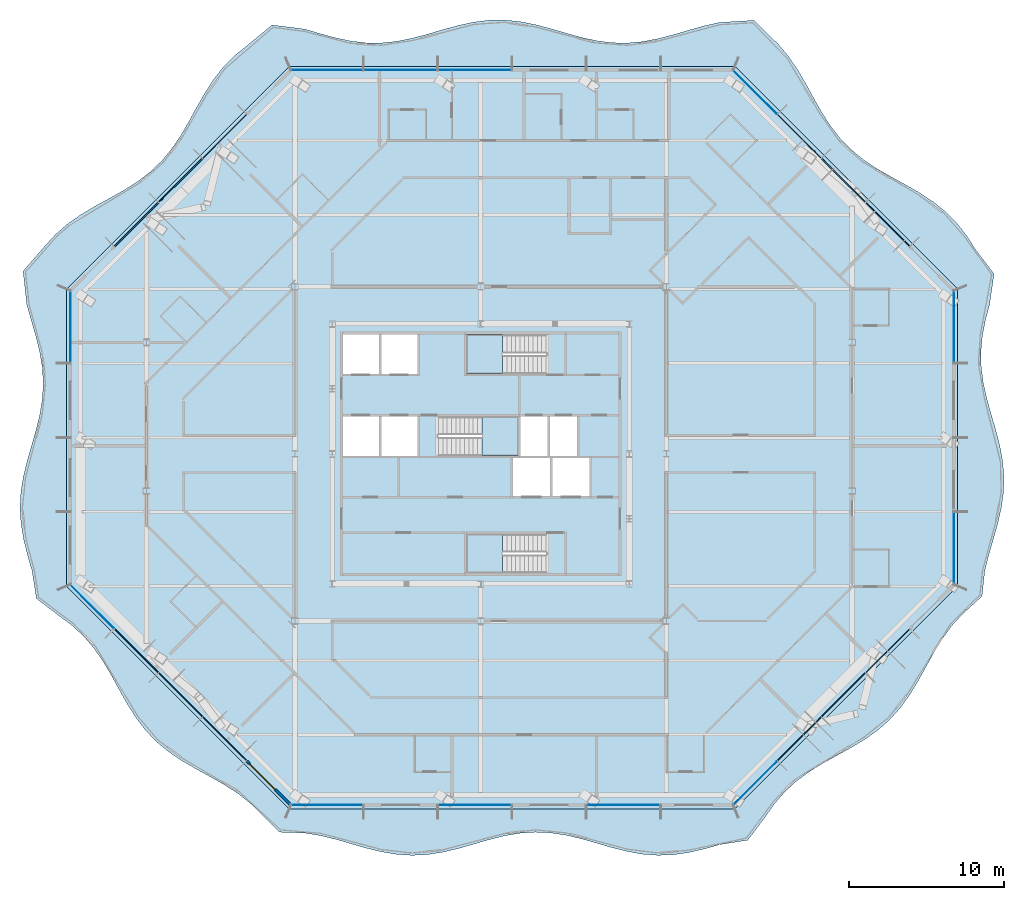
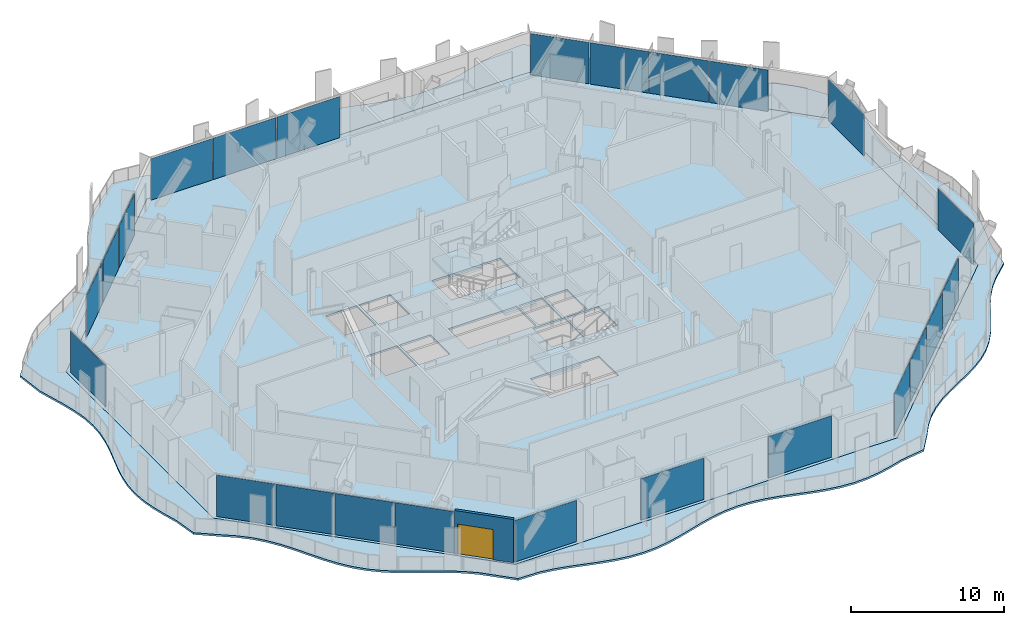
# One storey, part 6 of 21: 24 plates, 5 slabs, 1 door, 1 wall, 1 opening, 11 elements without a shape of their own.
"""IFC4 building model written with IfcOpenShell, lengths in metres."""

from ifc_helpers import new_model, si_unit, direction, frame, frame_2d, origin, origin_2d, place, context, subcontext, project, spatial, polyline, rectangle, outline, extrude, material, layer, layer_set, type_object, element, fill, aggregate, save


model = new_model("IFC4")

# Units and contexts
model_context = context("Model", 3, precision=1e-05, world=origin(), true_north=direction((0.0, 1.0)))
body_context = subcontext(model_context, "Body", "Model", "MODEL_VIEW")
ifc_project = project(units=[si_unit("LENGTHUNIT", "METRE"), si_unit("AREAUNIT", "SQUARE_METRE"), si_unit("VOLUMEUNIT", "CUBIC_METRE"), si_unit("PLANEANGLEUNIT", "RADIAN"), si_unit("MASSUNIT", "GRAM", prefix="KILO")], contexts=[model_context])

# Site, building, storey
site_placement = place(None, origin())
site = spatial("IfcSite", under=ifc_project, at=site_placement, CompositionType="ELEMENT")
building_placement = place(site_placement, origin())
building = spatial("IfcBuilding", under=site, at=building_placement, Name="Cairn Pilgrim Tower", CompositionType="ELEMENT")
storey_placement = place(building_placement, frame((0.0, 0.0, 183.0)))
storey = spatial("IfcBuildingStorey", under=building, at=storey_placement, Name="L46", CompositionType="ELEMENT", Elevation=183.0)

# Slabs
ifc_material_1 = material(Name="Concrete C35/45", Category="concrete")
ifc_layer_1 = layer(ifc_material_1, 0.14990234375)
ifc_layer_set_1 = layer_set([ifc_layer_1], Name="BALCONY SLAB 150 CONCRETE C35/45")
slab_type_1 = type_object("IfcSlabType", Name="BALCONY SLAB 150 CONCRETE C35/45", PredefinedType="FLOOR", material=ifc_layer_set_1)
slab_1_placement = place(storey_placement, frame((0.0, 0.0, -0.14990234375)))
element("IfcSlab", 1, at=slab_1_placement, inside=storey, type_object=slab_type_1, Name="Balcony slab BS-1", PredefinedType="FLOOR", context=body_context, shape_type="SweptSolid", body=[
    extrude(outline(polyline([(-6.963623046875, -20.898681640625), (-5.79638671875, -22.050048828125), (-4.181884765625, -22.106201171875), (-3.188720703125, -22.266845703125), (-2.19580078125, -22.50732421875), (-1.20263671875, -22.7919921875), (-0.20947265625, -23.07763671875), (0.78369140625, -23.321533203125), (1.776611328125, -23.4873046875), (2.769775390625, -23.5498046875), (3.762939453125, -23.499755859375), (4.756103515625, -23.344482421875), (5.7490234375, -23.107421875), (6.7421875, -22.824462890625), (7.7353515625, -22.53759765625), (8.728515625, -22.2900390625), (9.721435546875, -22.119384765625), (10.714599609375, -22.05078125), (11.707763671875, -22.0947265625), (12.700927734375, -22.244384765625), (13.69384765625, -22.477783203125), (14.68701171875, -22.75927734375), (15.68017578125, -23.047119140625), (16.67333984375, -23.2978515625), (17.666259765625, -23.4736328125), (18.659423828125, -23.54833984375), (19.652587890625, -23.5107421875), (20.645751953125, -23.3662109375), (21.638671875, -23.136962890625), (22.6318359375, -22.85693359375), (24.4609375, -22.568115234375), (25.588623046875, -21.07373046875), (26.18017578125, -20.22509765625), (26.846435546875, -19.451416015625), (27.596435546875, -18.761474609375), (28.42529296875, -18.150390625), (29.315673828125, -17.600830078125), (30.240966796875, -17.0859375), (31.16845703125, -16.573486328125), (32.065673828125, -16.03076171875), (32.904541015625, -15.429443359375), (33.666259765625, -14.751220703125), (34.344482421875, -13.989501953125), (34.945556640625, -13.150390625), (35.48828125, -12.253173828125), (36.000732421875, -11.32568359375), (36.515625, -10.400634765625), (37.065185546875, -9.51025390625), (37.676513671875, -8.681396484375), (38.366455078125, -7.931640625), (39.60205078125, -6.80322265625), (39.782470703125, -5.139404296875), (40.039306640625, -4.12890625), (40.332763671875, -3.118408203125), (40.6171875, -2.10791015625), (40.8486328125, -1.097412109375), (40.99072265625, -0.0869140625), (41.021728515625, 0.923583984375), (40.9365234375, 1.934326171875), (40.74853515625, 2.94482421875), (40.487060546875, 3.955322265625), (40.192626953125, 4.9658203125), (39.910888671875, 5.976318359375), (39.685791015625, 6.98681640625), (39.55224609375, 7.997314453125), (39.531005859375, 9.0078125), (39.62548828125, 10.018310546875), (39.82080078125, 11.029052734375), (40.0869140625, 12.03955078125), (40.382080078125, 14.0263671875), (39.170166015625, 15.635009765625), (38.605224609375, 16.51025390625), (37.97265625, 17.317626953125), (37.258544921875, 18.04345703125), (36.4619140625, 18.68701171875), (35.59521484375, 19.260009765625), (34.680908203125, 19.7861328125), (33.75048828125, 20.29541015625), (32.83642578125, 20.8212890625), (31.9697265625, 21.394775390625), (31.17333984375, 22.038330078125), (30.45947265625, 22.764404296875), (29.8271484375, 23.572265625), (29.262451171875, 24.447509765625), (28.740966796875, 25.365966796875), (28.231201171875, 26.296142578125), (27.7001953125, 27.205078125), (27.117919921875, 28.06298828125), (26.462890625, 28.847900390625), (24.85498046875, 30.41943359375), (22.6318359375, 30.284912109375), (21.638671875, 30.0625), (20.645751953125, 29.78564453125), (19.652587890625, 29.495849609375), (18.659423828125, 29.23681640625), (17.666259765625, 29.04736328125), (16.67333984375, 28.955810546875), (15.68017578125, 28.97607421875), (14.68701171875, 29.10498046875), (13.69384765625, 29.323486328125), (12.700927734375, 29.59814453125), (11.707763671875, 29.888427734375), (10.714599609375, 30.150146484375), (9.721435546875, 30.344482421875), (8.728515625, 30.44189453125), (7.7353515625, 30.427978515625), (6.7421875, 30.3046875), (5.7490234375, 30.090576171875), (4.756103515625, 29.81787109375), (3.762939453125, 29.52734375), (2.769775390625, 29.262939453125), (1.776611328125, 29.06396484375), (0.78369140625, 28.960693359375), (-0.20947265625, 28.96826171875), (-1.20263671875, 29.0859375), (-2.19580078125, 29.295654296875), (-3.188720703125, 29.566162109375), (-4.181884765625, 29.856689453125), (-6.282470703125, 30.123779296875), (-7.932373046875, 28.767333984375), (-8.728515625, 28.12353515625), (-9.4423828125, 27.3974609375), (-10.07470703125, 26.58984375), (-10.639404296875, 25.71435546875), (-11.160888671875, 24.7958984375), (-11.670654296875, 23.86572265625), (-12.20166015625, 22.956787109375), (-12.783935546875, 22.098876953125), (-13.43896484375, 21.31396484375), (-14.17724609375, 20.6123046875), (-14.995849609375, 19.99072265625), (-15.87890625, 19.43408203125), (-16.80126953125, 18.916259765625), (-17.73046875, 18.405517578125), (-18.6337890625, 17.86865234375), (-19.482177734375, 17.277099609375), (-20.25537109375, 16.610595703125), (-20.9453125, 15.8603515625), (-22.376953125, 14.210693359375), (-22.1376953125, 12.03955078125), (-21.85009765625, 11.029052734375), (-21.558349609375, 10.018310546875), (-21.30810546875, 9.0078125), (-21.13818359375, 7.997314453125), (-21.0751953125, 6.98681640625), (-21.12841796875, 5.976318359375), (-21.2900390625, 4.9658203125), (-21.534912109375, 3.955322265625), (-21.82470703125, 2.94482421875), (-22.11474609375, 1.934326171875), (-22.359619140625, 0.923583984375), (-22.521240234375, -0.0869140625), (-22.574951171875, -1.097412109375), (-22.511962890625, -2.10791015625), (-22.34228515625, -3.118408203125), (-22.092041015625, -4.12890625), (-21.80029296875, -5.139404296875), (-21.5126953125, -6.95263671875), (-20.054931640625, -8.06982421875), (-19.226318359375, -8.681396484375), (-18.4765625, -9.37158203125), (-17.810302734375, -10.145263671875), (-17.21923828125, -10.994140625), (-16.682861328125, -11.897705078125), (-16.172119140625, -12.8271484375), (-15.654052734375, -13.7490234375), (-15.096923828125, -14.632080078125), (-14.47509765625, -15.449951171875), (-13.772705078125, -16.187744140625), (-12.9873046875, -16.84228515625), (-12.129150390625, -17.42431640625), (-11.219970703125, -17.955078125), (-10.289794921875, -18.464599609375), (-9.371337890625, -18.986328125), (-8.496337890625, -19.551513671875), (-7.689208984375, -20.184326171875), (-6.963623046875, -20.898681640625)]), holes=[polyline([(23.625, -20.550048828125), (-5.175048828125, -20.550048828125), (-19.574951171875, -6.14990234375), (-19.574951171875, 13.050048828125), (-5.175048828125, 27.449951171875), (23.625, 27.449951171875), (38.02490234375, 13.050048828125), (38.02490234375, -6.14990234375), (23.625, -20.550048828125)])]), origin(), (0.0, 0.0, 1.0), 0.14990234375),
])
ifc_layer_2 = layer(ifc_material_1, 0.14990234375)
ifc_layer_set_2 = layer_set([ifc_layer_2], Name="COMPOSITE FLOOR SLAB 150")
slab_type_2 = type_object("IfcSlabType", Name="COMPOSITE FLOOR SLAB 150", PredefinedType="FLOOR", material=ifc_layer_set_2)
slab_2_placement = place(storey_placement, frame((0.0, 0.0, -0.14990234375)))
element("IfcSlab", 2, at=slab_2_placement, inside=storey, type_object=slab_type_2, Name="FLOOR SLAB L46", PredefinedType="FLOOR", context=body_context, shape_type="SweptSolid", body=[
    extrude(outline(polyline([(-5.175048828125, -20.550048828125), (23.625, -20.550048828125), (38.02490234375, -6.14990234375), (38.02490234375, 13.050048828125), (23.625, 27.449951171875), (-5.175048828125, 27.449951171875), (-19.574951171875, 13.050048828125), (-19.574951171875, -6.14990234375), (-5.175048828125, -20.550048828125)]), holes=[polyline([(9.27490234375, -0.324951171875), (11.675048828125, -0.324951171875), (11.675048828125, 2.125), (9.27490234375, 2.125), (9.27490234375, -0.324951171875)]), polyline([(11.824951171875, -0.324951171875), (14.22509765625, -0.324951171875), (14.22509765625, 2.125), (11.824951171875, 2.125), (11.824951171875, -0.324951171875)]), polyline([(-1.72509765625, 2.27490234375), (0.625, 2.27490234375), (0.625, 4.824951171875), (-1.72509765625, 4.824951171875), (-1.72509765625, 2.27490234375)]), polyline([(0.77490234375, 2.27490234375), (3.125, 2.27490234375), (3.125, 4.824951171875), (0.77490234375, 4.824951171875), (0.77490234375, 2.27490234375)]), polyline([(-1.72509765625, 7.574951171875), (0.625, 7.574951171875), (0.625, 10.10009765625), (-1.72509765625, 10.10009765625), (-1.72509765625, 7.574951171875)]), polyline([(0.77490234375, 7.574951171875), (3.125, 7.574951171875), (3.125, 10.10009765625), (0.77490234375, 10.10009765625), (0.77490234375, 7.574951171875)]), polyline([(9.77490234375, 2.27490234375), (11.52490234375, 2.27490234375), (11.52490234375, 4.824951171875), (9.77490234375, 4.824951171875), (9.77490234375, 2.27490234375)]), polyline([(11.675048828125, 2.27490234375), (13.425048828125, 2.27490234375), (13.425048828125, 4.824951171875), (11.675048828125, 4.824951171875), (11.675048828125, 2.27490234375)]), polyline([(11.424560546875, -2.77490234375), (6.27490234375, -2.77490234375), (6.27490234375, -5.300048828125), (11.424560546875, -5.300048828125), (11.424560546875, -2.77490234375)]), polyline([(4.4755859375, 2.27490234375), (9.625, 2.27490234375), (9.625, 4.824951171875), (4.4755859375, 4.824951171875), (4.4755859375, 2.27490234375)]), polyline([(11.424560546875, 10.10009765625), (6.27490234375, 10.10009765625), (6.27490234375, 7.574951171875), (11.424560546875, 7.574951171875), (11.424560546875, 10.10009765625)])]), origin(), (0.0, 0.0, 1.0), 0.14990234375),
])

# Curtain wall, plates
ifc_material_2 = material(Name="Aluminium alloy 6063-T6 bronze anodised with Bronze tinted laminated low-E glass 8+16+8.8", Category="aluminium")
curtain_wall_type_1 = type_object("IfcCurtainWallType", Name="CHAMFER CORNER CURTAIN WALL", PredefinedType="NOTDEFINED", material=ifc_material_2)
curtain_wall_1_placement = place(storey_placement, origin())
curtain_wall_1 = element("IfcCurtainWall", 3, at=curtain_wall_1_placement, inside=storey, type_object=curtain_wall_type_1, Name="Chamfer Corner Curtain Wall SE", PredefinedType="NOTDEFINED")
ifc_material_3 = material(Name="Bronze anodised aluminium spandrel panel with mineral wool insulation", Category="aluminium")
ifc_layer_3 = layer(ifc_material_3, 0.06005859375)
ifc_layer_set_3 = layer_set([ifc_layer_3], Name="SPANDREL PANEL 3972x3300")
plate_type_1 = type_object("IfcPlateType", Name="SPANDREL PANEL 3972x3300", PredefinedType="CURTAIN_PANEL", material=ifc_layer_set_3)
plate_1_placement = place(storey_placement, frame((27.797607421875, -16.02392578125, 0.0), z_axis=(0.0, 0.0, 1.0), x_axis=(0.707106781187, 0.707106781187, 0.0)))
plate_1 = element("IfcPlate", 4, at=plate_1_placement, type_object=plate_type_1, Name="Spandrel Panel SE2-1", PredefinedType="CURTAIN_PANEL", context=body_context, shape_type="SweptSolid", body=[
    extrude(rectangle(XDim=3.971435546875, YDim=0.06005859375, at=origin_2d()), origin(), (0.0, 0.0, 1.0), 3.300048828125),
])
plate_2_placement = place(storey_placement, frame((30.648193359375, -13.17333984375, 0.0), z_axis=(0.0, 0.0, 1.0), x_axis=(0.707106781187, 0.707106781187, 0.0)))
plate_2 = element("IfcPlate", 5, at=plate_2_placement, type_object=plate_type_1, Name="Spandrel Panel SE3-1", PredefinedType="CURTAIN_PANEL", context=body_context, shape_type="SweptSolid", body=[
    extrude(rectangle(XDim=3.971435546875, YDim=0.06005859375, at=origin_2d()), origin(), (0.0, 0.0, 1.0), 3.300048828125),
])
plate_3_placement = place(storey_placement, frame((33.4990234375, -10.322509765625, 0.0), z_axis=(0.0, 0.0, 1.0), x_axis=(0.707106781187, 0.707106781187, 0.0)))
plate_3 = element("IfcPlate", 6, at=plate_3_placement, type_object=plate_type_1, Name="Spandrel Panel SE4-1", PredefinedType="CURTAIN_PANEL", context=body_context, shape_type="SweptSolid", body=[
    extrude(rectangle(XDim=3.971435546875, YDim=0.06005859375, at=origin_2d()), origin(), (0.0, 0.0, 1.0), 3.300048828125),
])

curtain_wall_2_placement = place(storey_placement, origin())
curtain_wall_2 = element("IfcCurtainWall", 7, at=curtain_wall_2_placement, inside=storey, type_object=curtain_wall_type_1, Name="Chamfer Corner Curtain Wall NE", PredefinedType="NOTDEFINED")
plate_4_placement = place(storey_placement, frame((33.4990234375, 17.222412109375, 0.0), z_axis=(0.0, 0.0, 1.0), x_axis=(-0.707106781187, 0.707106781187, 0.0)))
plate_4 = element("IfcPlate", 8, at=plate_4_placement, type_object=plate_type_1, Name="Spandrel Panel NE2-1", PredefinedType="CURTAIN_PANEL", context=body_context, shape_type="SweptSolid", body=[
    extrude(rectangle(XDim=3.971435546875, YDim=0.06005859375, at=origin_2d()), origin(), (0.0, 0.0, 1.0), 3.300048828125),
])
plate_5_placement = place(storey_placement, frame((30.648193359375, 20.0732421875, 0.0), z_axis=(0.0, 0.0, 1.0), x_axis=(-0.707106781187, 0.707106781187, 0.0)))
plate_5 = element("IfcPlate", 9, at=plate_5_placement, type_object=plate_type_1, Name="Spandrel Panel NE3-1", PredefinedType="CURTAIN_PANEL", context=body_context, shape_type="SweptSolid", body=[
    extrude(rectangle(XDim=3.971435546875, YDim=0.06005859375, at=origin_2d()), origin(), (0.0, 0.0, 1.0), 3.300048828125),
])
plate_6_placement = place(storey_placement, frame((27.797607421875, 22.923828125, 0.0), z_axis=(0.0, 0.0, 1.0), x_axis=(-0.707106781187, 0.707106781187, 0.0)))
plate_6 = element("IfcPlate", 10, at=plate_6_placement, type_object=plate_type_1, Name="Spandrel Panel NE4-1", PredefinedType="CURTAIN_PANEL", context=body_context, shape_type="SweptSolid", body=[
    extrude(rectangle(XDim=3.971435546875, YDim=0.06005859375, at=origin_2d()), origin(), (0.0, 0.0, 1.0), 3.300048828125),
])

curtain_wall_3_placement = place(storey_placement, origin())
curtain_wall_3 = element("IfcCurtainWall", 11, at=curtain_wall_3_placement, inside=storey, type_object=curtain_wall_type_1, Name="Chamfer Corner Curtain Wall NW", PredefinedType="NOTDEFINED")
plate_7_placement = place(storey_placement, frame((-9.347412109375, 22.923828125, 0.0), z_axis=(0.0, 0.0, 1.0), x_axis=(-0.707106781187, -0.707106781187, 0.0)))
plate_7 = element("IfcPlate", 12, at=plate_7_placement, type_object=plate_type_1, Name="Spandrel Panel NW2-1", PredefinedType="CURTAIN_PANEL", context=body_context, shape_type="SweptSolid", body=[
    extrude(rectangle(XDim=3.971435546875, YDim=0.06005859375, at=origin_2d()), origin(), (0.0, 0.0, 1.0), 3.300048828125),
])
plate_8_placement = place(storey_placement, frame((-12.1982421875, 20.0732421875, 0.0), z_axis=(0.0, 0.0, 1.0), x_axis=(-0.707106781187, -0.707106781187, 0.0)))
plate_8 = element("IfcPlate", 13, at=plate_8_placement, type_object=plate_type_1, Name="Spandrel Panel NW3-1", PredefinedType="CURTAIN_PANEL", context=body_context, shape_type="SweptSolid", body=[
    extrude(rectangle(XDim=3.971435546875, YDim=0.06005859375, at=origin_2d()), origin(), (0.0, 0.0, 1.0), 3.300048828125),
])
plate_9_placement = place(storey_placement, frame((-15.048828125, 17.222412109375, 0.0), z_axis=(0.0, 0.0, 1.0), x_axis=(-0.707106781187, -0.707106781187, 0.0)))
plate_9 = element("IfcPlate", 14, at=plate_9_placement, type_object=plate_type_1, Name="Spandrel Panel NW4-1", PredefinedType="CURTAIN_PANEL", context=body_context, shape_type="SweptSolid", body=[
    extrude(rectangle(XDim=3.971435546875, YDim=0.06005859375, at=origin_2d()), origin(), (0.0, 0.0, 1.0), 3.300048828125),
])
aggregate(curtain_wall_3, [plate_7, plate_8, plate_9])

curtain_wall_4_placement = place(storey_placement, origin())
curtain_wall_4 = element("IfcCurtainWall", 15, at=curtain_wall_4_placement, inside=storey, type_object=curtain_wall_type_1, Name="Chamfer Corner Curtain Wall SW", PredefinedType="NOTDEFINED")
plate_10_placement = place(storey_placement, frame((-15.048828125, -10.322509765625, 0.0), z_axis=(0.0, 0.0, 1.0), x_axis=(0.707106781187, -0.707106781187, 0.0)))
plate_10 = element("IfcPlate", 16, at=plate_10_placement, type_object=plate_type_1, Name="Spandrel Panel SW2-1", PredefinedType="CURTAIN_PANEL", context=body_context, shape_type="SweptSolid", body=[
    extrude(rectangle(XDim=3.971435546875, YDim=0.06005859375, at=origin_2d()), origin(), (0.0, 0.0, 1.0), 3.300048828125),
])
plate_11_placement = place(storey_placement, frame((-12.1982421875, -13.17333984375, 0.0), z_axis=(0.0, 0.0, 1.0), x_axis=(0.707106781187, -0.707106781187, 0.0)))
plate_11 = element("IfcPlate", 17, at=plate_11_placement, type_object=plate_type_1, Name="Spandrel Panel SW3-1", PredefinedType="CURTAIN_PANEL", context=body_context, shape_type="SweptSolid", body=[
    extrude(rectangle(XDim=3.971435546875, YDim=0.06005859375, at=origin_2d()), origin(), (0.0, 0.0, 1.0), 3.300048828125),
])
plate_12_placement = place(storey_placement, frame((-9.347412109375, -16.02392578125, 0.0), z_axis=(0.0, 0.0, 1.0), x_axis=(0.707106781187, -0.707106781187, 0.0)))
plate_12 = element("IfcPlate", 18, at=plate_12_placement, type_object=plate_type_1, Name="Spandrel Panel SW4-1", PredefinedType="CURTAIN_PANEL", context=body_context, shape_type="SweptSolid", body=[
    extrude(rectangle(XDim=3.971435546875, YDim=0.06005859375, at=origin_2d()), origin(), (0.0, 0.0, 1.0), 3.300048828125),
])

# Stair, slab
ifc_material_4 = material(Name="Concrete C32/40", Category="concrete")
stair_type = type_object("IfcStairType", Name="EXIT STAIR 1200", PredefinedType="HALF_TURN_STAIR", material=ifc_material_4)
stair_1_placement = place(storey_placement, origin())
stair_1 = element("IfcStair", 19, at=stair_1_placement, inside=storey, type_object=stair_type, Name="L46 Exit Stair A", PredefinedType="HALF_TURN_STAIR")
ifc_layer_4 = layer(ifc_material_4, 0.199951171875)
ifc_layer_set_4 = layer_set([ifc_layer_4], Name="STAIR LANDING 200")
slab_type_3 = type_object("IfcSlabType", Name="STAIR LANDING 200", PredefinedType="LANDING", material=ifc_layer_set_4)
slab_3_placement = place(storey_placement, frame((0.0, 0.0, 1.60009765625)))
slab_3 = element("IfcSlab", 20, at=slab_3_placement, type_object=slab_type_3, Name="ST-A landing 1", PredefinedType="LANDING", context=body_context, shape_type="SweptSolid", body=[
    extrude(outline(polyline([(8.625, -2.77490234375), (6.27490234375, -2.77490234375), (6.27490234375, -5.300048828125), (8.625, -5.300048828125), (8.625, -2.77490234375)])), origin(), (0.0, 0.0, 1.0), 0.199951171875),
])
aggregate(stair_1, [slab_3])

stair_2_placement = place(storey_placement, origin())
stair_2 = element("IfcStair", 21, at=stair_2_placement, inside=storey, type_object=stair_type, Name="L46 Exit Stair B", PredefinedType="HALF_TURN_STAIR")
slab_4_placement = place(storey_placement, frame((0.0, 0.0, 1.60009765625)))
slab_4 = element("IfcSlab", 22, at=slab_4_placement, type_object=slab_type_3, Name="ST-B landing 1", PredefinedType="LANDING", context=body_context, shape_type="SweptSolid", body=[
    extrude(outline(polyline([(7.27490234375, 2.27490234375), (9.625, 2.27490234375), (9.625, 4.824951171875), (7.27490234375, 4.824951171875), (7.27490234375, 2.27490234375)])), origin(), (0.0, 0.0, 1.0), 0.199951171875),
])
aggregate(stair_2, [slab_4])

stair_3_placement = place(storey_placement, origin())
stair_3 = element("IfcStair", 23, at=stair_3_placement, inside=storey, type_object=stair_type, Name="L46 Exit Stair C", PredefinedType="HALF_TURN_STAIR")
slab_5_placement = place(storey_placement, frame((0.0, 0.0, 1.60009765625)))
slab_5 = element("IfcSlab", 24, at=slab_5_placement, type_object=slab_type_3, Name="ST-C landing 1", PredefinedType="LANDING", context=body_context, shape_type="SweptSolid", body=[
    extrude(outline(polyline([(8.625, 10.10009765625), (6.27490234375, 10.10009765625), (6.27490234375, 7.574951171875), (8.625, 7.574951171875), (8.625, 10.10009765625)])), origin(), (0.0, 0.0, 1.0), 0.199951171875),
])
aggregate(stair_3, [slab_5])

# Plate
ifc_material_5 = material(Name="Bronze tinted laminated low-E glass 8+16+8.8", Category="glass")
ifc_layer_5 = layer(ifc_material_5, 0.033935546875)
ifc_layer_set_5 = layer_set([ifc_layer_5], Name="VISION GLAZING 3962x3300")
plate_type_2 = type_object("IfcPlateType", Name="VISION GLAZING 3962x3300", PredefinedType="CURTAIN_PANEL", material=ifc_layer_set_5)
plate_13_placement = place(storey_placement, frame((24.950439453125, -18.87109375, 0.0), z_axis=(0.0, 0.0, 1.0), x_axis=(0.707106781187, 0.707106781187, 0.0)))
plate_13 = element("IfcPlate", 25, at=plate_13_placement, type_object=plate_type_2, Name="Vision Glazing SE1-1", PredefinedType="CURTAIN_PANEL", context=body_context, shape_type="SweptSolid", body=[
    extrude(rectangle(XDim=3.96142578125, YDim=0.033935546875, at=origin_2d()), origin(), (0.0, 0.0, 1.0), 3.300048828125),
])

aggregate(curtain_wall_1, [plate_13, plate_1, plate_2, plate_3])

plate_14_placement = place(storey_placement, frame((24.950439453125, 25.77099609375, 0.0), z_axis=(0.0, 0.0, 1.0), x_axis=(-0.707106781187, 0.707106781187, 0.0)))
plate_14 = element("IfcPlate", 26, at=plate_14_placement, type_object=plate_type_2, Name="Vision Glazing NE5-1", PredefinedType="CURTAIN_PANEL", context=body_context, shape_type="SweptSolid", body=[
    extrude(rectangle(XDim=3.96142578125, YDim=0.033935546875, at=origin_2d()), origin(), (0.0, 0.0, 1.0), 3.300048828125),
])

aggregate(curtain_wall_2, [plate_4, plate_5, plate_6, plate_14])

plate_15_placement = place(storey_placement, frame((-17.89599609375, -7.475341796875, 0.0), z_axis=(0.0, 0.0, 1.0), x_axis=(0.707106781187, -0.707106781187, 0.0)))
plate_15 = element("IfcPlate", 27, at=plate_15_placement, type_object=plate_type_2, Name="Vision Glazing SW1-1", PredefinedType="CURTAIN_PANEL", context=body_context, shape_type="SweptSolid", body=[
    extrude(rectangle(XDim=3.96142578125, YDim=0.033935546875, at=origin_2d()), origin(), (0.0, 0.0, 1.0), 3.300048828125),
])

aggregate(curtain_wall_4, [plate_15, plate_10, plate_11, plate_12])

# Curtain wall, plate
curtain_wall_type_2 = type_object("IfcCurtainWallType", Name="TOWER STICK CURTAIN WALL NS", PredefinedType="NOTDEFINED", material=ifc_material_2)
curtain_wall_5_placement = place(storey_placement, origin())
curtain_wall_5 = element("IfcCurtainWall", 28, at=curtain_wall_5_placement, inside=storey, type_object=curtain_wall_type_2, Name="Tower Stick Curtain Wall Ns S", PredefinedType="NOTDEFINED")
ifc_layer_6 = layer(ifc_material_5, 0.033935546875)
ifc_layer_set_6 = layer_set([ifc_layer_6], Name="VISION GLAZING 4626x3300")
plate_type_3 = type_object("IfcPlateType", Name="VISION GLAZING 4626x3300", PredefinedType="CURTAIN_PANEL", material=ifc_layer_set_6)
plate_16_placement = place(storey_placement, frame((-2.71826171875, -20.300048828125, 0.0), z_axis=(0.0, 0.0, 1.0), x_axis=(1.0, 0.0, 0.0)))
plate_16 = element("IfcPlate", 29, at=plate_16_placement, type_object=plate_type_3, Name="Vision Glazing S1-1", PredefinedType="CURTAIN_PANEL", context=body_context, shape_type="SweptSolid", body=[
    extrude(rectangle(XDim=4.62646484375, YDim=0.033935546875, at=origin_2d()), origin(), (0.0, 0.0, 1.0), 3.300048828125),
])

# Curtain wall, plates
curtain_wall_type_3 = type_object("IfcCurtainWallType", Name="TOWER STICK CURTAIN WALL EW", PredefinedType="NOTDEFINED", material=ifc_material_2)
curtain_wall_6_placement = place(storey_placement, origin())
curtain_wall_6 = element("IfcCurtainWall", 30, at=curtain_wall_6_placement, inside=storey, type_object=curtain_wall_type_3, Name="Tower Stick Curtain Wall Ew E", PredefinedType="NOTDEFINED")
plate_17_placement = place(storey_placement, frame((37.77490234375, -3.693115234375, 0.0), z_axis=(0.0, 0.0, 1.0), x_axis=(0.0, 1.0, 0.0)))
plate_17 = element("IfcPlate", 31, at=plate_17_placement, type_object=plate_type_3, Name="Vision Glazing E1-1", PredefinedType="CURTAIN_PANEL", context=body_context, shape_type="SweptSolid", body=[
    extrude(rectangle(XDim=4.62646484375, YDim=0.033935546875, at=origin_2d()), origin(), (0.0, 0.0, 1.0), 3.300048828125),
])
plate_18_placement = place(storey_placement, frame((37.77490234375, 10.59326171875, 0.0), z_axis=(0.0, 0.0, 1.0), x_axis=(0.0, 1.0, 0.0)))
plate_18 = element("IfcPlate", 32, at=plate_18_placement, type_object=plate_type_3, Name="Vision Glazing E4-1", PredefinedType="CURTAIN_PANEL", context=body_context, shape_type="SweptSolid", body=[
    extrude(rectangle(XDim=4.62646484375, YDim=0.033935546875, at=origin_2d()), origin(), (0.0, 0.0, 1.0), 3.300048828125),
])
aggregate(curtain_wall_6, [plate_17, plate_18])

# Curtain wall, plate
curtain_wall_7_placement = place(storey_placement, origin())
curtain_wall_7 = element("IfcCurtainWall", 33, at=curtain_wall_7_placement, inside=storey, type_object=curtain_wall_type_2, Name="Tower Stick Curtain Wall Ns N", PredefinedType="NOTDEFINED")
plate_19_placement = place(storey_placement, frame((-2.71826171875, 27.199951171875, 0.0), z_axis=(0.0, 0.0, 1.0), x_axis=(-1.0, 0.0, 0.0)))
plate_19 = element("IfcPlate", 34, at=plate_19_placement, type_object=plate_type_3, Name="Vision Glazing N6-1", PredefinedType="CURTAIN_PANEL", context=body_context, shape_type="SweptSolid", body=[
    extrude(rectangle(XDim=4.62646484375, YDim=0.033935546875, at=origin_2d()), origin(), (0.0, 0.0, 1.0), 3.300048828125),
])

curtain_wall_8_placement = place(storey_placement, origin())
curtain_wall_8 = element("IfcCurtainWall", 35, at=curtain_wall_8_placement, inside=storey, type_object=curtain_wall_type_3, Name="Tower Stick Curtain Wall Ew W", PredefinedType="NOTDEFINED")
plate_20_placement = place(storey_placement, frame((-19.324951171875, 10.59326171875, 0.0), z_axis=(0.0, 0.0, 1.0), x_axis=(0.0, -1.0, 0.0)))
plate_20 = element("IfcPlate", 36, at=plate_20_placement, type_object=plate_type_3, Name="Vision Glazing W1-1", PredefinedType="CURTAIN_PANEL", context=body_context, shape_type="SweptSolid", body=[
    extrude(rectangle(XDim=4.62646484375, YDim=0.033935546875, at=origin_2d()), origin(), (0.0, 0.0, 1.0), 3.300048828125),
])
aggregate(curtain_wall_8, [plate_20])

# Plate
ifc_layer_7 = layer(ifc_material_5, 0.033935546875)
ifc_layer_set_7 = layer_set([ifc_layer_7], Name="VISION GLAZING 4740x3300")
plate_type_4 = type_object("IfcPlateType", Name="VISION GLAZING 4740x3300", PredefinedType="CURTAIN_PANEL", material=ifc_layer_set_7)
plate_21_placement = place(storey_placement, frame((6.824951171875, -20.300048828125, 0.0), z_axis=(0.0, 0.0, 1.0), x_axis=(1.0, 0.0, 0.0)))
plate_21 = element("IfcPlate", 37, at=plate_21_placement, type_object=plate_type_4, Name="Vision Glazing S3-1", PredefinedType="CURTAIN_PANEL", context=body_context, shape_type="SweptSolid", body=[
    extrude(rectangle(XDim=4.739990234375, YDim=0.033935546875, at=origin_2d()), origin(), (0.0, 0.0, 1.0), 3.300048828125),
])

plate_22_placement = place(storey_placement, frame((16.425048828125, -20.300048828125, 0.0), z_axis=(0.0, 0.0, 1.0), x_axis=(1.0, 0.0, 0.0)))
plate_22 = element("IfcPlate", 38, at=plate_22_placement, type_object=plate_type_4, Name="Vision Glazing S5-1", PredefinedType="CURTAIN_PANEL", context=body_context, shape_type="SweptSolid", body=[
    extrude(rectangle(XDim=4.739990234375, YDim=0.033935546875, at=origin_2d()), origin(), (0.0, 0.0, 1.0), 3.300048828125),
])

aggregate(curtain_wall_5, [plate_16, plate_21, plate_22])

plate_23_placement = place(storey_placement, frame((6.824951171875, 27.199951171875, 0.0), z_axis=(0.0, 0.0, 1.0), x_axis=(-1.0, 0.0, 0.0)))
plate_23 = element("IfcPlate", 39, at=plate_23_placement, type_object=plate_type_4, Name="Vision Glazing N4-1", PredefinedType="CURTAIN_PANEL", context=body_context, shape_type="SweptSolid", body=[
    extrude(rectangle(XDim=4.739990234375, YDim=0.033935546875, at=origin_2d()), origin(), (0.0, 0.0, 1.0), 3.300048828125),
])

plate_24_placement = place(storey_placement, frame((2.02490234375, 27.199951171875, 0.0), z_axis=(0.0, 0.0, 1.0), x_axis=(-1.0, 0.0, 0.0)))
plate_24 = element("IfcPlate", 40, at=plate_24_placement, type_object=plate_type_4, Name="Vision Glazing N5-1", PredefinedType="CURTAIN_PANEL", context=body_context, shape_type="SweptSolid", body=[
    extrude(rectangle(XDim=4.739990234375, YDim=0.033935546875, at=origin_2d()), origin(), (0.0, 0.0, 1.0), 3.300048828125),
])

aggregate(curtain_wall_7, [plate_23, plate_24, plate_19])

# Wall, opening, door
ifc_material_6 = material(Name="Bronze anodised aluminium insulated sandwich panel with mineral wool fill", Category="aluminium")
ifc_layer_8 = layer(ifc_material_6, 0.199951171875)
ifc_layer_set_8 = layer_set([ifc_layer_8], Name="BRONZE INFILL FRAME WALL 200")
wall_type = type_object("IfcWallType", Name="BRONZE INFILL FRAME WALL 200", PredefinedType="NOTDEFINED", material=ifc_layer_set_8)
wall_placement = place(storey_placement, frame((-7.90087890625, -17.470458984375, 0.0), z_axis=(0.0, 0.0, 1.0), x_axis=(0.707106781187, -0.707106781187, 0.0)))
wall = element("IfcWall", 41, at=wall_placement, inside=storey, type_object=wall_type, Name="Bronze infill frame wall IW-SW5", PredefinedType="NOTDEFINED", context=body_context, shape_type="SweptSolid", body=[
    extrude(rectangle(XDim=3.961669921875, YDim=0.199951171875, at=frame_2d((1.98095703125, 0.0))), origin(), (0.0, 0.0, 1.0), 3.449951171875),
])
opening_placement = place(wall_placement, frame((0.199951171875, 0.0, 0.0)))
opening = element("IfcOpeningElement", 42, at=opening_placement, cuts=wall, Name="Opening 4617B", PredefinedType="OPENING", context=body_context, shape_type="SweptSolid", body=[
    extrude(rectangle(XDim=2.39990234375, YDim=2.39990234375, at=frame_2d((1.199951171875, 1.199951171875))), frame((0.0, 0.10986328125, 0.0), z_axis=(0.0, -1.0, 0.0), x_axis=(1.0, 0.0, 0.0)), (0.0, 0.0, 1.0), 0.219970703125),
])
ifc_material_7 = material(Name="Bronze anodised aluminium frame with tinted low-E glass", Category="aluminium")
door_type = type_object("IfcDoorType", Name="BALCONY SLIDING DOOR 2400x2400", OperationType="DOUBLE_DOOR_SLIDING", PredefinedType="DOOR", material=ifc_material_7)
door_placement = place(opening_placement, origin())
door = element("IfcDoor", 43, at=door_placement, inside=storey, type_object=door_type, Name="Balcony sliding door 4617B", OperationType="SINGLE_SWING_LEFT", OverallHeight=2.39990234375, OverallWidth=2.39990234375, PredefinedType="DOOR", context=body_context, shape_type="SweptSolid", body=[
    extrude(rectangle(XDim=2.39990234375, YDim=2.39990234375, at=frame_2d((1.199951171875, 1.199951171875))), frame((0.0, 0.02490234375, 0.0), z_axis=(0.0, -1.0, 0.0), x_axis=(1.0, 0.0, 0.0)), (0.0, 0.0, 1.0), 0.050048828125),
])
fill(opening, door)

save(model, "model.ifc")
